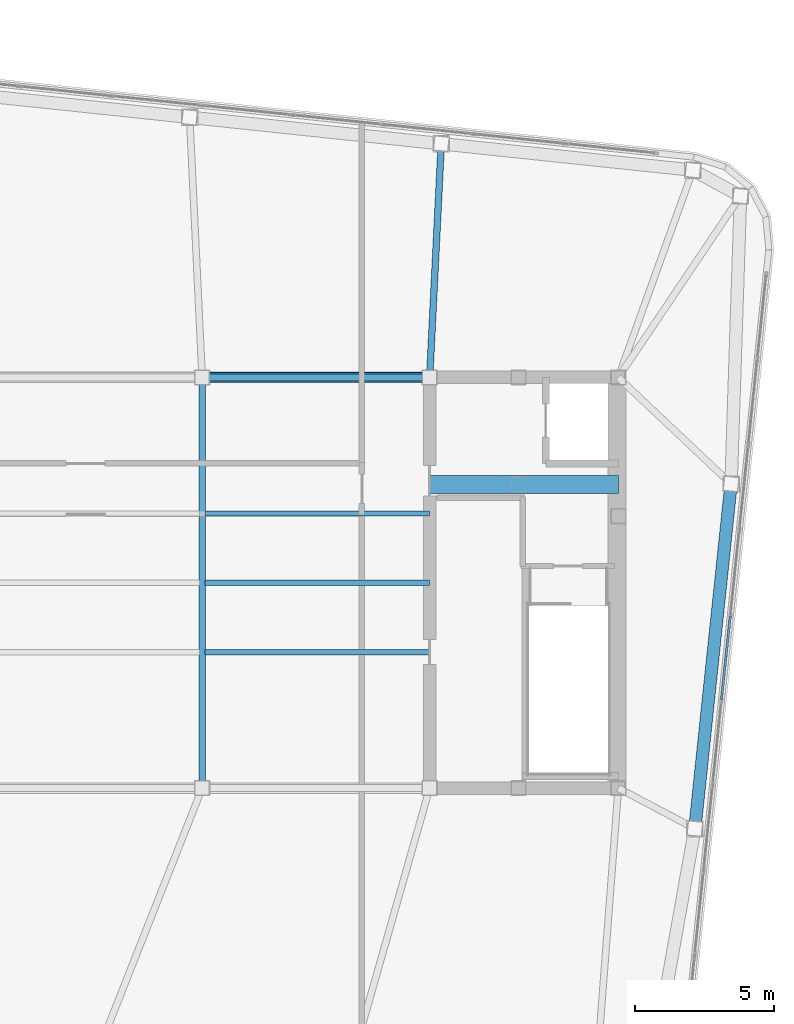
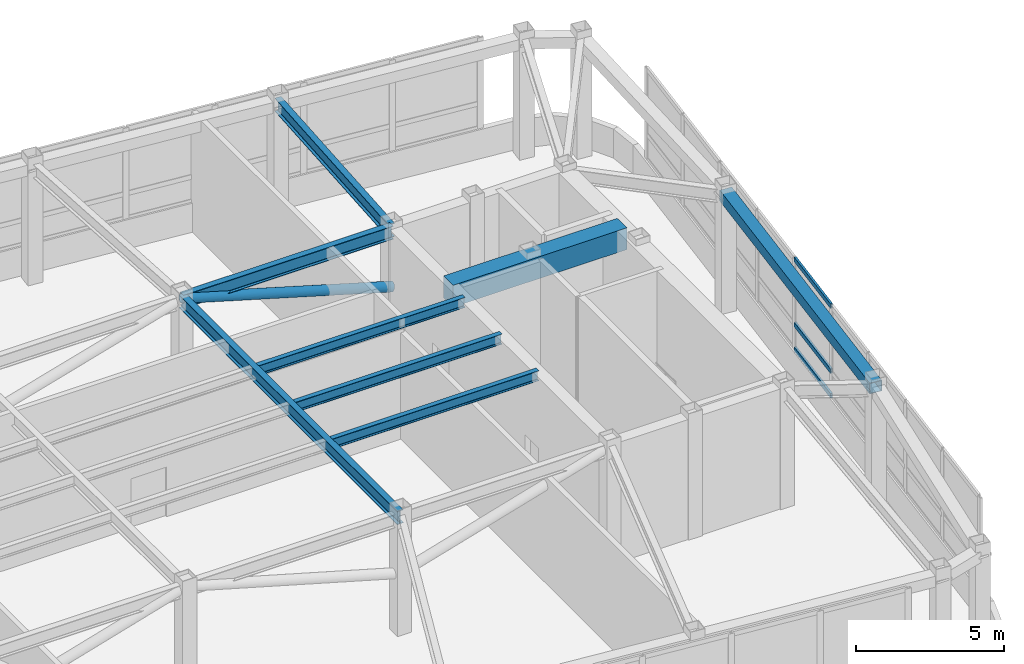
# One storey, part 12 of 21: 8 beams, 4 members, 1 element without a shape of its own.
"""IFC4 building model written with IfcOpenShell, lengths in metres."""

from ifc_helpers import new_model, si_unit, direction, frame, origin, origin_2d, place, context, subcontext, project, spatial, rectangle, hollow_rectangle, hollow_circle, i_section, extrude, material, layer, layer_set, material_profile, profile_set, type_object, element, aggregate, save


model = new_model("IFC4")

# Units and contexts
model_context = context("Model", 3, precision=1e-05, world=origin(), true_north=direction((0.0, 1.0)))
body_context = subcontext(model_context, "Body", "Model", "MODEL_VIEW")
ifc_project = project(units=[si_unit("LENGTHUNIT", "METRE"), si_unit("AREAUNIT", "SQUARE_METRE"), si_unit("VOLUMEUNIT", "CUBIC_METRE"), si_unit("PLANEANGLEUNIT", "RADIAN"), si_unit("MASSUNIT", "GRAM", prefix="KILO")], contexts=[model_context])

# Site, building, storey
site_placement = place(None, origin())
site = spatial("IfcSite", under=ifc_project, at=site_placement, CompositionType="ELEMENT")
building_placement = place(site_placement, origin())
building = spatial("IfcBuilding", under=site, at=building_placement, Name="Voryun Gate Residences", CompositionType="ELEMENT")
storey_placement = place(building_placement, frame((0.0, 0.0, 337.199951171875)))
storey = spatial("IfcBuildingStorey", under=building, at=storey_placement, Name="L82", CompositionType="ELEMENT", Elevation=337.199951171875)

# Beams
ifc_material_1 = material(Name="Concrete C60/75", Category="concrete")
ifc_material_profile_1 = material_profile(ifc_material_1, rectangle(XDim=0.64990234375, YDim=0.89990234375, at=origin_2d()), Name="RC-650x900")
ifc_profile_set_1 = profile_set([ifc_material_profile_1], Name="Concrete C60/75")
beam_type_1 = type_object("IfcBeamType", Name="BM_COUP_RC900", PredefinedType="LINTEL", material=ifc_profile_set_1)
beam_1_placement = place(storey_placement, frame((12.39990234375, 3.550048828125, 4.510009765625), z_axis=(1.0, 0.0, 0.0), x_axis=(0.0, 1.0, 0.0)))
element("IfcBeam", 1, at=beam_1_placement, inside=storey, type_object=beam_type_1, Name="BM-L82-EC1", PredefinedType="LINTEL", context=body_context, shape_type="SweptSolid", body=[
    extrude(rectangle(XDim=0.64990234375, YDim=0.89990234375, at=origin_2d()), origin(), (0.0, 0.0, 1.0), 6.800048828125),
])
ifc_material_2 = material(Name="Steel SM355", Category="steel")
ifc_material_profile_2 = material_profile(ifc_material_2, hollow_rectangle(XDim=0.449951171875, YDim=0.449951171875, WallThickness=0.01806640625, at=origin_2d()), Name="BOX-450x450x18")
ifc_profile_set_2 = profile_set([ifc_material_profile_2], Name="Steel SM355")
beam_type_2 = type_object("IfcBeamType", Name="BM_CROWN_RING", PredefinedType="BEAM", material=ifc_profile_set_2)
beam_2_placement = place(storey_placement, frame((21.958251953125, -8.861572265625, 4.735107421875), z_axis=(0.104519973049, 0.99452278769, 0.0), x_axis=(-0.99452278769, 0.104519973049, 0.0)))
element("IfcBeam", 2, at=beam_2_placement, inside=storey, type_object=beam_type_2, Name="BM-L82-SPAND-08", PredefinedType="BEAM", context=body_context, shape_type="SweptSolid", body=[
    extrude(hollow_rectangle(XDim=0.449951171875, YDim=0.449951171875, WallThickness=0.01806640625, at=origin_2d()), origin(), (0.0, 0.0, 1.0), 12.491943359375),
])
ifc_material_3 = material(Name="Steel SM355", Category="steel")
ifc_material_profile_3 = material_profile(ifc_material_3, i_section(OverallWidth=0.239990234375, OverallDepth=0.550048828125, WebThickness=0.011962890625, FlangeThickness=0.02001953125, FilletRadius=0.01806640625, at=origin_2d()), Name="H-550x240x12x20")
ifc_profile_set_3 = profile_set([ifc_material_profile_3], Name="Steel SM355")
beam_type_3 = type_object("IfcBeamType", Name="BM_GIRD_550", PredefinedType="USERDEFINED", material=ifc_profile_set_3)
beam_3_placement = place(storey_placement, frame((4.199951171875, 7.39990234375, 4.68505859375), z_axis=(1.0, 0.0, 0.0), x_axis=(0.0, 1.0, 0.0)))
element("IfcBeam", 3, at=beam_3_placement, inside=storey, type_object=beam_type_3, Name="BM-L82-SPG3-N", ObjectType="GIRDER", PredefinedType="USERDEFINED", context=body_context, shape_type="SweptSolid", body=[
    extrude(i_section(OverallWidth=0.239990234375, OverallDepth=0.550048828125, WebThickness=0.011962890625, FlangeThickness=0.02001953125, FilletRadius=0.01806640625, at=origin_2d()), origin(), (0.0, 0.0, 1.0), 8.199951171875),
])
beam_4_placement = place(storey_placement, frame((4.199951171875, -7.39990234375, 4.68505859375), z_axis=(0.0, 1.0, 0.0), x_axis=(-1.0, 0.0, 0.0)))
element("IfcBeam", 4, at=beam_4_placement, inside=storey, type_object=beam_type_3, Name="BM-L82-SPX-E", ObjectType="GIRDER", PredefinedType="USERDEFINED", context=body_context, shape_type="SweptSolid", body=[
    extrude(i_section(OverallWidth=0.239990234375, OverallDepth=0.550048828125, WebThickness=0.011962890625, FlangeThickness=0.02001953125, FilletRadius=0.01806640625, at=origin_2d()), origin(), (0.0, 0.0, 1.0), 14.7998046875),
])
beam_5_placement = place(storey_placement, frame((12.39990234375, 7.39990234375, 4.68505859375), z_axis=(0.049635922604, 0.998767377915, 0.0), x_axis=(-0.998767377915, 0.049635922604, 0.0)))
element("IfcBeam", 5, at=beam_5_placement, inside=storey, type_object=beam_type_3, Name="BM-L82-RAD-N2", ObjectType="GIRDER", PredefinedType="USERDEFINED", context=body_context, shape_type="SweptSolid", body=[
    extrude(i_section(OverallWidth=0.239990234375, OverallDepth=0.550048828125, WebThickness=0.011962890625, FlangeThickness=0.02001953125, FilletRadius=0.01806640625, at=origin_2d()), origin(), (0.0, 0.0, 1.0), 8.435546875),
])
ifc_material_4 = material(Name="Steel SM355", Category="steel")
ifc_material_profile_4 = material_profile(ifc_material_4, i_section(OverallWidth=0.18994140625, OverallDepth=0.419921875, WebThickness=0.009033203125, FlangeThickness=0.01611328125, FilletRadius=0.01806640625, at=origin_2d()), Name="H-420x190x9x16")
ifc_profile_set_4 = profile_set([ifc_material_profile_4], Name="Steel SM355")
beam_type_4 = type_object("IfcBeamType", Name="BM_SEC_420", PredefinedType="BEAM", material=ifc_profile_set_4)
for number, where, z_axis, x_axis, name in (
    (6, (4.300048828125, -2.5, 4.75), (1.0, 0.0, 0.0), (0.0, 1.0, 0.0), "BM-L82-SEC-CS3"),
    (7, (4.300048828125, 0.0, 4.75), (1.0, 0.0, 0.0), (0.0, 1.0, 0.0), "BM-L82-SEC-CM3"),
    (8, (4.300048828125, 2.5, 4.75), (1.0, 0.0, 0.0), (0.0, 1.0, 0.0), "BM-L82-SEC-CN3"),
):
    element("IfcBeam", number, at=place(storey_placement, frame(where, z_axis=z_axis, x_axis=x_axis)), inside=storey, type_object=beam_type_4, Name=name, PredefinedType="BEAM", context=body_context, shape_type="SweptSolid", body=[
        extrude(i_section(OverallWidth=0.18994140625, OverallDepth=0.419921875, WebThickness=0.009033203125, FlangeThickness=0.01611328125, FilletRadius=0.01806640625, at=origin_2d()), origin(), (0.0, 0.0, 1.0), 8.099853515625),
    ])

# Curtain wall, members
ifc_material_5 = material(Name="Anodised aluminium", Category="aluminium")
ifc_layer = layer(ifc_material_5, 0.22998046875, Name="CW_SYS_LANTERN_DARK_GLASS")
ifc_layer_set = layer_set([ifc_layer], Name="Anodised aluminium")
curtain_wall_type = type_object("IfcCurtainWallType", Name="CW_SYS_LANTERN_DARK_GLASS", PredefinedType="NOTDEFINED", material=ifc_layer_set)
curtain_wall_placement = place(storey_placement, origin())
curtain_wall = element("IfcCurtainWall", 9, at=curtain_wall_placement, inside=storey, type_object=curtain_wall_type, Name="Curtain wall CW6-L82-16", PredefinedType="NOTDEFINED")
ifc_material_6 = material(Name="Anodised aluminium", Category="aluminium")
ifc_material_profile_5 = material_profile(ifc_material_6, hollow_rectangle(XDim=0.0849609375, YDim=0.18994140625, WallThickness=0.006103515625, at=origin_2d()), Name="ALU-TRAN-190x85x6")
ifc_profile_set_5 = profile_set([ifc_material_profile_5], Name="Anodised aluminium")
member_type_1 = type_object("IfcMemberType", Name="CW_TRAN_LANT", PredefinedType="USERDEFINED", material=ifc_profile_set_5)
member_1_placement = place(storey_placement, frame((23.23681640625, -1.193359375, 1.219970703125), z_axis=(-0.104500100479, -0.994524876009, 0.0), x_axis=(0.994524876009, -0.104500100479, 0.0)))
member_1 = element("IfcMember", 10, at=member_1_placement, type_object=member_type_1, Name="CW6 transom 5.1", ObjectType="TRANSOM", PredefinedType="USERDEFINED", context=body_context, shape_type="SweptSolid", body=[
    extrude(hollow_rectangle(XDim=0.0849609375, YDim=0.18994140625, WallThickness=0.006103515625, at=origin_2d()), origin(), (0.0, 0.0, 1.0), 3.02783203125),
])
member_2_placement = place(storey_placement, frame((23.23681640625, -1.193359375, 2.239990234375), z_axis=(-0.104500100479, -0.994524876009, 0.0), x_axis=(0.994524876009, -0.104500100479, 0.0)))
member_2 = element("IfcMember", 11, at=member_2_placement, type_object=member_type_1, Name="CW6 transom 5.2", ObjectType="TRANSOM", PredefinedType="USERDEFINED", context=body_context, shape_type="SweptSolid", body=[
    extrude(hollow_rectangle(XDim=0.0849609375, YDim=0.18994140625, WallThickness=0.006103515625, at=origin_2d()), origin(), (0.0, 0.0, 1.0), 3.02783203125),
])
member_3_placement = place(storey_placement, frame((23.23681640625, -1.193359375, 4.929931640625), z_axis=(-0.104500100479, -0.994524876009, 0.0), x_axis=(0.994524876009, -0.104500100479, 0.0)))
member_3 = element("IfcMember", 12, at=member_3_placement, type_object=member_type_1, Name="CW6 transom 5.3", ObjectType="TRANSOM", PredefinedType="USERDEFINED", context=body_context, shape_type="SweptSolid", body=[
    extrude(hollow_rectangle(XDim=0.0849609375, YDim=0.18994140625, WallThickness=0.006103515625, at=origin_2d()), origin(), (0.0, 0.0, 1.0), 3.02783203125),
])
aggregate(curtain_wall, [member_1, member_2, member_3])

# Member
ifc_material_7 = material(Name="Steel SM355", Category="steel")
ifc_material_profile_6 = material_profile(ifc_material_7, hollow_circle(Radius=0.18994140625, WallThickness=0.01806640625, at=origin_2d()), Name="CHS-380x18")
ifc_profile_set_6 = profile_set([ifc_material_profile_6], Name="Steel SM355")
member_type_2 = type_object("IfcMemberType", Name="MBR_CROWN_DIAGRID", PredefinedType="BRACE", material=ifc_profile_set_6)
member_4_placement = place(storey_placement, frame((12.39990234375, 7.39990234375, 2.380126953125), z_axis=(-0.959740037409, 0.0, 0.280889765913), x_axis=(0.0, -1.0, 0.0)))
element("IfcMember", 13, at=member_4_placement, inside=storey, type_object=member_type_2, Name="L82 Lantern Spine Diagrid Brace 06", PredefinedType="BRACE", context=body_context, shape_type="SweptSolid", body=[
    extrude(hollow_circle(Radius=0.18994140625, WallThickness=0.01806640625, at=origin_2d()), origin(), (0.0, 0.0, 1.0), 8.5439453125),
])

save(model, "model.ifc")
